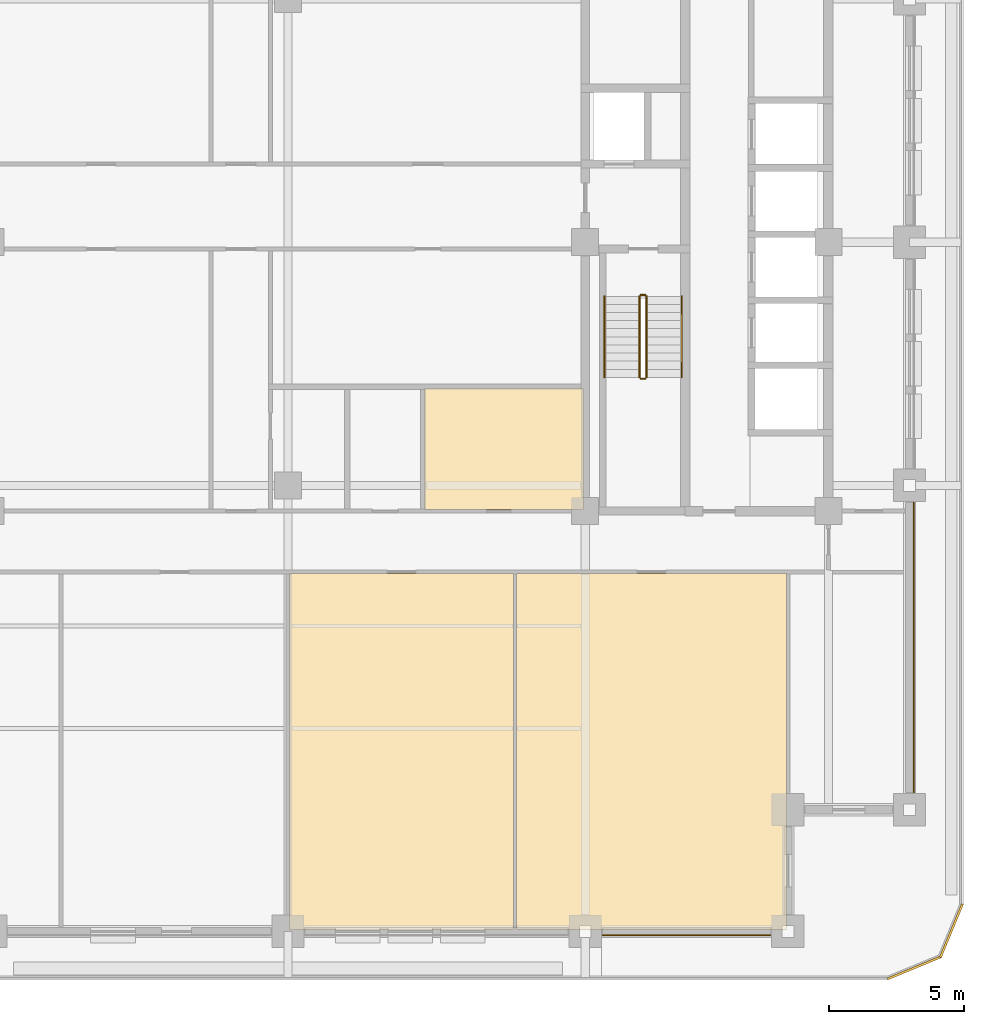
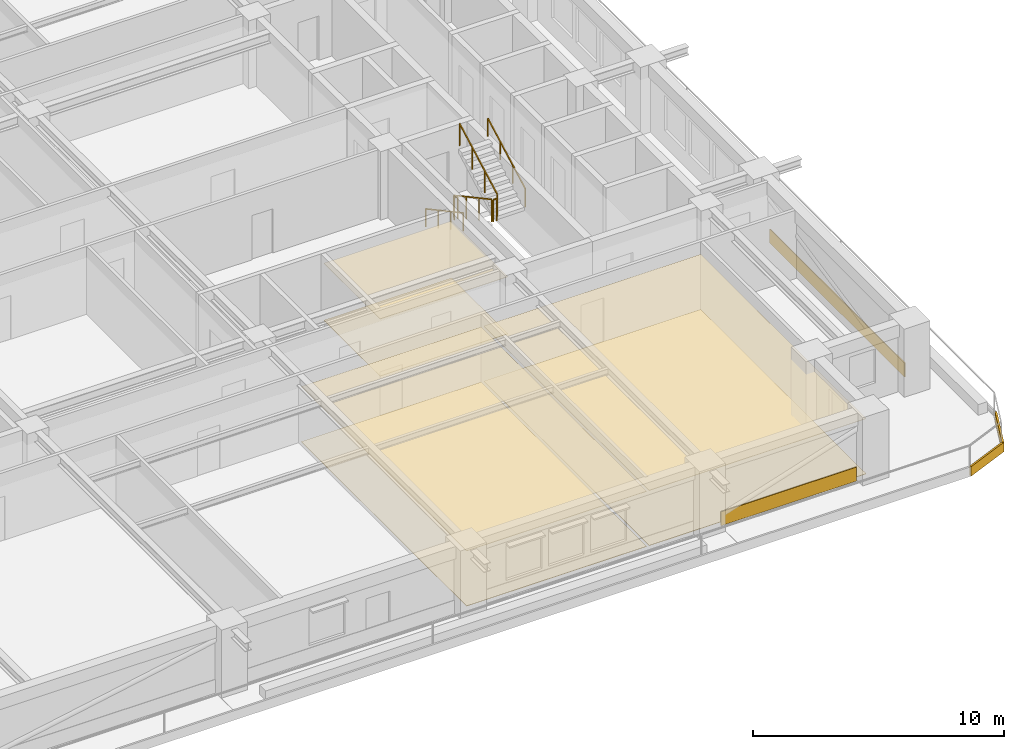
# One storey, part 13 of 14: 10 coverings, 6 railings.
"""IFC4 building model written with IfcOpenShell, lengths in metres."""

import ifcopenshell
import ifcopenshell.guid

model = None  # the IFC model being written
_history = None  # IfcOwnerHistory: only IFC2X3 demands one
_inside = {}  # id of a spatial element -> (the spatial element, [elements in it])
_under = {}  # id of a project, library or spatial element -> (it, [spatial elements below it])
_declared = {}  # id of a project -> (the project, [libraries it declares])
_typed = {}  # id of a type object -> (the type object, [elements of that type])
_made_of = {}  # id of a material, layer set ... -> (it, [elements and type objects made of it])


def new_model(schema):
    """Start an empty IFC model of exactly this schema.

    Asked for "IFC4X3", IfcOpenShell would pick the latest addendum, in which some entities
    have other attributes; the version numbers below select the first issue.
    IFC2X3 requires an IfcOwnerHistory on every rooted entity: one is made here for all.
    """
    global model, _history
    if schema == "IFC4X3":
        model = ifcopenshell.file(schema_version=(4, 3, 0, 0))
    else:
        model = ifcopenshell.file(schema=schema)
    _inside.clear()
    _under.clear()
    _declared.clear()
    _typed.clear()
    _made_of.clear()
    _history = None
    if model.schema == "IFC2X3":
        org = make("IfcOrganization", Name="unknown")
        user = make(
            "IfcPersonAndOrganization",
            ThePerson=make("IfcPerson", FamilyName="unknown"),
            TheOrganization=org,
        )
        app = make(
            "IfcApplication",
            ApplicationDeveloper=org,
            Version="unknown",
            ApplicationFullName="unknown",
            ApplicationIdentifier="unknown",
        )
        _history = make(
            "IfcOwnerHistory",
            OwningUser=user,
            OwningApplication=app,
            ChangeAction="ADDED",
            CreationDate=0,
        )
    return model


def make(cls, **values):
    """One entity of the class cls with the attributes given. An attribute that is None is left unset."""
    return model.create_entity(
        cls, **{name: value for name, value in values.items() if value is not None}
    )


def rooted(cls, **values):
    """An entity with a GlobalId (a new one), such as an element, a storey or a relation."""
    return make(cls, GlobalId=ifcopenshell.guid.new(), OwnerHistory=_history, **values)


def si_unit(unit_type, name, prefix=None):
    """IfcSIUnit, for example si_unit("LENGTHUNIT", "METRE", prefix="MILLI")."""
    return make("IfcSIUnit", UnitType=unit_type, Prefix=prefix, Name=name)


def assignment(units):
    """IfcUnitAssignment: the units of a project."""
    return None if units is None else make("IfcUnitAssignment", Units=units)


def point(xyz):
    """IfcCartesianPoint."""
    return None if xyz is None else make("IfcCartesianPoint", Coordinates=xyz)


def direction(xyz):
    """IfcDirection."""
    return None if xyz is None else make("IfcDirection", DirectionRatios=xyz)


def frame(location, z_axis=None, x_axis=None):
    """IfcAxis2Placement3D, a coordinate frame: its origin and axes. An axis left out is left unset."""
    return make(
        "IfcAxis2Placement3D",
        Location=point(location),
        Axis=direction(z_axis),
        RefDirection=direction(x_axis),
    )


def frame_2d(location, x_axis=None):
    """IfcAxis2Placement2D, a coordinate frame in the plane: its origin and x axis."""
    return make(
        "IfcAxis2Placement2D", Location=point(location), RefDirection=direction(x_axis)
    )


def origin():
    """The frame at (0, 0, 0) with its axes left unset."""
    return frame((0.0, 0.0, 0.0))


def origin_2d():
    """The frame at (0, 0) in the plane with its x axis left unset."""
    return frame_2d((0.0, 0.0))


def place(relative_to, where):
    """IfcLocalPlacement: puts the frame where relative to a parent placement (None: the world)."""
    return make(
        "IfcLocalPlacement", PlacementRelTo=relative_to, RelativePlacement=where
    )


def context(
    kind, dimensions, precision=None, world=None, true_north=None, identifier=None
):
    """IfcGeometricRepresentationContext, for example the 3D "Model" context."""
    return make(
        "IfcGeometricRepresentationContext",
        ContextIdentifier=identifier,
        ContextType=kind,
        CoordinateSpaceDimension=dimensions,
        Precision=precision,
        WorldCoordinateSystem=world,
        TrueNorth=true_north,
    )


def subcontext(parent, identifier, kind, view, scale=None):
    """IfcGeometricRepresentationSubContext, for example "Body" below "Model"."""
    return make(
        "IfcGeometricRepresentationSubContext",
        ContextIdentifier=identifier,
        ContextType=kind,
        ParentContext=parent,
        TargetScale=scale,
        TargetView=view,
    )


def project(units=None, contexts=None):
    """IfcProject with its units and contexts."""
    return rooted(
        "IfcProject",
        Name="project",
        RepresentationContexts=contexts,
        UnitsInContext=assignment(units),
    )


def spatial(cls, under=None, at=None, **own):
    """A site, building, storey or space (cls), placed at a placement, below another one or the project."""
    s = rooted(cls, ObjectPlacement=at, **own)
    if under is not None:
        _under.setdefault(under.id(), (under, []))[1].append(s)
    return s


def polyline(points):
    """IfcPolyline through the points."""
    return make("IfcPolyline", Points=[point(p) for p in points])


def profile(cls, at=None, kind="AREA", **sizes):
    """A parametric profile (cls). Its sizes go by their IFC names, for example OverallWidth=200.0."""
    return make(cls, ProfileType=kind, Position=at, **sizes)


def rectangle(**sizes):
    """IfcRectangleProfileDef."""
    return profile("IfcRectangleProfileDef", **sizes)


def outline(outer, holes=None, kind="AREA"):
    """IfcArbitraryClosedProfileDef: a profile drawn as a closed curve; with holes, ...WithVoids."""
    if holes is None:
        return make("IfcArbitraryClosedProfileDef", ProfileType=kind, OuterCurve=outer)
    return make(
        "IfcArbitraryProfileDefWithVoids",
        ProfileType=kind,
        OuterCurve=outer,
        InnerCurves=holes,
    )


def extrude(swept, where, along, depth):
    """IfcExtrudedAreaSolid: the profile swept, set in the frame where, extruded along a direction by depth."""
    return make(
        "IfcExtrudedAreaSolid",
        SweptArea=swept,
        Position=where,
        ExtrudedDirection=direction(along),
        Depth=depth,
    )


def shape(context_of_items, identifier, shape_type, items):
    """IfcShapeRepresentation: the items that make up one representation, for example the "Body"."""
    return make(
        "IfcShapeRepresentation",
        ContextOfItems=context_of_items,
        RepresentationIdentifier=identifier,
        RepresentationType=shape_type,
        Items=items,
    )


def material(Name=None, Category=None):
    """IfcMaterial."""
    return make("IfcMaterial", Name=Name, Category=Category)


def layer(
    of_material, thickness, ventilated=None, Name=None, Category=None, Priority=None
):
    """IfcMaterialLayer: one layer of a wall or slab, of a material (None: an air gap)."""
    return make(
        "IfcMaterialLayer",
        Material=of_material,
        LayerThickness=thickness,
        IsVentilated=ventilated,
        Name=Name,
        Category=Category,
        Priority=Priority,
    )


def layer_set(layers, Name=None):
    """IfcMaterialLayerSet."""
    return make("IfcMaterialLayerSet", MaterialLayers=layers, LayerSetName=Name)


def made_of(thing, what):
    """Note that an element or type object is made of a material, layer set ...; save() writes the relation."""
    if what is not None:
        _made_of.setdefault(what.id(), (what, []))[1].append(thing)
    return thing


def type_object(cls, material=None, **own):
    """A type object (cls), such as IfcWallType, which elements share."""
    return made_of(rooted(cls, **own), material)


def element(
    cls,
    number,
    at=None,
    inside=None,
    cuts=None,
    type_object=None,
    material=None,
    context=None,
    identifier="Body",
    shape_type=None,
    held_by="IfcProductDefinitionShape",
    body=None,
    shapes=None,
    **own,
):
    """One element of the class cls, such as IfcWall. Its Tag is "e" and its number.

    at: its placement. inside: the storey or other place that contains it. cuts: it is an
    opening in that element (IfcRelVoidsElement). A single representation is given by context,
    identifier, shape_type and body (its items); several are given by shapes. held_by: the class
    of the entity that holds the representations. save() writes the other relations.
    """
    e = rooted(cls, Tag="e%d" % number, ObjectPlacement=at, **own)
    if body is not None:
        shapes = [shape(context, identifier, shape_type, body)]
    if shapes is not None:
        e.Representation = make(held_by, Representations=shapes)
    if inside is not None:
        _inside.setdefault(inside.id(), (inside, []))[1].append(e)
    if cuts is not None:
        rooted(
            "IfcRelVoidsElement", RelatingBuildingElement=cuts, RelatedOpeningElement=e
        )
    if type_object is not None:
        _typed.setdefault(type_object.id(), (type_object, []))[1].append(e)
    return made_of(e, material)


def aggregate(whole, parts):
    """IfcRelAggregates: a whole, such as a stair, and the parts it consists of."""
    return rooted("IfcRelAggregates", RelatingObject=whole, RelatedObjects=parts)


def save(model, path):
    """Write the relations noted so far, then the file.

    IfcRelAggregates (storeys below a building ...), IfcRelContainedInSpatialStructure (elements
    in a storey), IfcRelDefinesByType, IfcRelAssociatesMaterial and IfcRelDeclares: one each for
    every whole, place, type object, material and project.
    """
    for whole, parts in _under.values():
        aggregate(whole, parts)
    for where, things in _inside.values():
        rooted(
            "IfcRelContainedInSpatialStructure",
            RelatedElements=things,
            RelatingStructure=where,
        )
    for kind, things in _typed.values():
        rooted("IfcRelDefinesByType", RelatedObjects=things, RelatingType=kind)
    for what, things in _made_of.values():
        rooted("IfcRelAssociatesMaterial", RelatedObjects=things, RelatingMaterial=what)
    for by, libraries in _declared.values():
        rooted("IfcRelDeclares", RelatingContext=by, RelatedDefinitions=libraries)
    model.write(path)


model = new_model("IFC4")

# Units and contexts
model_context = context("Model", 3, precision=1e-05, world=origin(), true_north=direction((0.0, 1.0)))
body_context = subcontext(model_context, "Body", "Model", "MODEL_VIEW")
ifc_project = project(units=[si_unit("LENGTHUNIT", "METRE"), si_unit("AREAUNIT", "SQUARE_METRE"), si_unit("VOLUMEUNIT", "CUBIC_METRE"), si_unit("PLANEANGLEUNIT", "RADIAN"), si_unit("MASSUNIT", "GRAM", prefix="KILO")], contexts=[model_context])

# Site, building, storey
site_placement = place(None, origin())
site = spatial("IfcSite", under=ifc_project, at=site_placement, CompositionType="ELEMENT")
building_placement = place(site_placement, origin())
building = spatial("IfcBuilding", under=site, at=building_placement, Name="Zulmaris Gate Convention Tower", CompositionType="ELEMENT")
storey_placement = place(building_placement, frame((0.0, 0.0, 135.6298828125)))
storey = spatial("IfcBuildingStorey", under=building, at=storey_placement, Name="L34", CompositionType="ELEMENT", Elevation=135.6298828125)

# Coverings
ifc_material_1 = material(Name="Precast concrete C40/50", Category="concrete")
ifc_layer_1 = layer(ifc_material_1, 0.0400390625, Name="Precast concrete C40/50")
ifc_layer_set_1 = layer_set([ifc_layer_1], Name="Precast concrete C40/50")
covering_type_1 = type_object("IfcCoveringType", Name="CLAD-SPANDREL-PRECAST", PredefinedType="CLADDING", material=ifc_layer_set_1)
covering_1_placement = place(storey_placement, frame((11.6298828125, -25.64990234375, 0.0), z_axis=(0.0, 0.0, 1.0), x_axis=(1.0, 0.0, 0.0)))
element("IfcCovering", 1, at=covering_1_placement, inside=storey, type_object=covering_type_1, Name="CLD-L34-S-3_0", PredefinedType="CLADDING", context=body_context, shape_type="SweptSolid", body=[
    extrude(rectangle(XDim=6.240234375, YDim=0.0400390625, at=frame_2d((3.1201171875, 0.0))), origin(), (0.0, 0.0, 1.0), 0.679931640625),
])
covering_2_placement = place(storey_placement, frame((23.14990234375, -20.3701171875, 0.0), z_axis=(0.0, 0.0, 1.0), x_axis=(0.0, 1.0, 0.0)))
element("IfcCovering", 2, at=covering_2_placement, inside=storey, type_object=covering_type_1, Name="CLD-L34-E-0_0", PredefinedType="CLADDING", context=body_context, shape_type="SweptSolid", body=[
    extrude(rectangle(XDim=10.740234375, YDim=0.0400390625, at=frame_2d((5.3701171875, 0.0))), origin(), (0.0, 0.0, 1.0), 0.679931640625),
])
ifc_material_2 = material(Name="White Glazed Architectural Precast Concrete C40/50", Category="concrete")
ifc_layer_2 = layer(ifc_material_2, 0.080078125, Name="White Glazed Architectural Precast Concrete C40/50")
ifc_layer_set_2 = layer_set([ifc_layer_2], Name="White Glazed Architectural Precast Concrete C40/50")
covering_type_2 = type_object("IfcCoveringType", Name="CLAD-TRAY-FASCIA", PredefinedType="CLADDING", material=ifc_layer_set_2)
covering_3_placement = place(storey_placement, frame((22.184814453125, -27.262939453125, -0.2900390625), z_axis=(0.0, 0.0, 1.0), x_axis=(0.923873803533, 0.382697263049, 0.0)))
element("IfcCovering", 3, at=covering_3_placement, inside=storey, type_object=covering_type_2, Name="FSC-L34-TR-03", PredefinedType="CLADDING", context=body_context, shape_type="SweptSolid", body=[
    extrude(rectangle(XDim=2.142822265625, YDim=0.080078125, at=frame_2d((1.0712890625, 0.0))), origin(), (0.0, 0.0, 1.0), 0.4599609375),
])
covering_4_placement = place(storey_placement, frame((24.142822265625, -26.464599609375, -0.2900390625), z_axis=(0.0, 0.0, 1.0), x_axis=(0.382656984709, 0.923890487046, 0.0)))
element("IfcCovering", 4, at=covering_4_placement, inside=storey, type_object=covering_type_2, Name="FSC-L34-TR-04", PredefinedType="CLADDING", context=body_context, shape_type="SweptSolid", body=[
    extrude(rectangle(XDim=2.14306640625, YDim=0.080078125, at=frame_2d((1.071533203125, 0.0))), origin(), (0.0, 0.0, 1.0), 0.4599609375),
])
ifc_material_3 = material(Name="Mineral Fibre Acoustic Ceiling Tile")
ifc_layer_3 = layer(ifc_material_3, 0.02001953125, Name="Mineral Fibre Acoustic Ceiling Tile")
ifc_layer_set_3 = layer_set([ifc_layer_3], Name="Mineral Fibre Acoustic Ceiling Tile")
covering_type_3 = type_object("IfcCoveringType", Name="CLG-ACOUSTIC-600", PredefinedType="CEILING", material=ifc_layer_set_3)
covering_5_placement = place(storey_placement, frame((0.0, 0.0, 2.68017578125)))
element("IfcCovering", 5, at=covering_5_placement, inside=storey, type_object=covering_type_3, Name="CLG-L34-R35", PredefinedType="CEILING", context=body_context, shape_type="SweptSolid", body=[
    extrude(outline(polyline([(0.06005859375, -25.43994140625), (8.340087890625, -25.43994140625), (8.340087890625, -12.260009765625), (0.06005859375, -12.260009765625), (0.06005859375, -25.43994140625)])), origin(), (0.0, 0.0, 1.0), 0.02001953125),
])
covering_6_placement = place(storey_placement, frame((0.0, 0.0, 2.68017578125)))
element("IfcCovering", 6, at=covering_6_placement, inside=storey, type_object=covering_type_3, Name="CLG-L34-R36", PredefinedType="CEILING", context=body_context, shape_type="SweptSolid", body=[
    extrude(outline(polyline([(8.4599609375, -25.43994140625), (18.43994140625, -25.43994140625), (18.43994140625, -12.260009765625), (8.4599609375, -12.260009765625), (8.4599609375, -25.43994140625)])), origin(), (0.0, 0.0, 1.0), 0.02001953125),
])
covering_7_placement = place(storey_placement, frame((0.0, 0.0, 2.778076171875)))
element("IfcCovering", 7, at=covering_7_placement, inside=storey, type_object=covering_type_3, Name="CLG-L34-R43", PredefinedType="CEILING", context=body_context, shape_type="SweptSolid", body=[
    extrude(outline(polyline([(5.06005859375, -9.889892578125), (10.93994140625, -9.889892578125), (10.93994140625, -5.409912109375), (5.06005859375, -5.409912109375), (5.06005859375, -9.889892578125)])), origin(), (0.0, 0.0, 1.0), 0.02001953125),
])
ifc_material_4 = material(Name="Woven Acoustic Wool Carpet Tile")
ifc_layer_4 = layer(ifc_material_4, 0.02001953125, Name="Woven Acoustic Wool Carpet Tile")
ifc_layer_set_4 = layer_set([ifc_layer_4], Name="Woven Acoustic Wool Carpet Tile")
covering_type_4 = type_object("IfcCoveringType", Name="FLR-CARPET-12", PredefinedType="FLOORING", material=ifc_layer_set_4)
covering_8_placement = place(storey_placement, origin())
element("IfcCovering", 8, at=covering_8_placement, inside=storey, type_object=covering_type_4, Name="FLR-L34-R35", PredefinedType="FLOORING", context=body_context, shape_type="SweptSolid", body=[
    extrude(outline(polyline([(0.06005859375, -25.43994140625), (8.340087890625, -25.43994140625), (8.340087890625, -12.260009765625), (0.06005859375, -12.260009765625), (0.06005859375, -25.43994140625)])), origin(), (0.0, 0.0, 1.0), 0.02001953125),
])
covering_9_placement = place(storey_placement, origin())
element("IfcCovering", 9, at=covering_9_placement, inside=storey, type_object=covering_type_4, Name="FLR-L34-R36", PredefinedType="FLOORING", context=body_context, shape_type="SweptSolid", body=[
    extrude(outline(polyline([(8.4599609375, -25.43994140625), (18.43994140625, -25.43994140625), (18.43994140625, -12.260009765625), (8.4599609375, -12.260009765625), (8.4599609375, -25.43994140625)])), origin(), (0.0, 0.0, 1.0), 0.02001953125),
])
covering_10_placement = place(storey_placement, origin())
element("IfcCovering", 10, at=covering_10_placement, inside=storey, type_object=covering_type_4, Name="FLR-L34-R43", PredefinedType="FLOORING", context=body_context, shape_type="SweptSolid", body=[
    extrude(outline(polyline([(5.06005859375, -9.889892578125), (10.93994140625, -9.889892578125), (10.93994140625, -5.409912109375), (5.06005859375, -5.409912109375), (5.06005859375, -9.889892578125)])), origin(), (0.0, 0.0, 1.0), 0.02001953125),
])

# Railings
ifc_material_5 = material(Name="Painted Galvanised Steel", Category="steel")
railing_type_1 = type_object("IfcRailingType", Name="RL-STG-1150", PredefinedType="GUARDRAIL", material=ifc_material_5)
railing_1_placement = place(storey_placement, frame((13.010009765625, -2.0, 0.162353515625)))
element("IfcRailing", 11, at=railing_1_placement, inside=storey, type_object=railing_type_1, Name="L34 ST-2 stair guard 1", PredefinedType="GUARDRAIL", context=body_context, shape_type="SweptSolid", body=[
    extrude(rectangle(XDim=0.048095703125, YDim=0.048095703125, at=origin_2d()), frame((0.0, 0.0, 1.076171875), z_axis=(0.0, -0.8795616155, 0.475784998228), x_axis=(1.0, 0.0, 0.0)), (0.0, 0.0, 1.0), 3.410888671875),
    extrude(rectangle(XDim=0.0419921875, YDim=0.0419921875, at=origin_2d()), origin(), (0.0, 0.0, 1.0), 1.052001953125),
    extrude(rectangle(XDim=0.0419921875, YDim=0.0419921875, at=origin_2d()), frame((0.0, -1.0, 0.541015625)), (0.0, 0.0, 1.0), 1.052001953125),
    extrude(rectangle(XDim=0.0419921875, YDim=0.0419921875, at=origin_2d()), frame((0.0, -2.0, 1.081787109375)), (0.0, 0.0, 1.0), 1.052001953125),
    extrude(rectangle(XDim=0.0419921875, YDim=0.0419921875, at=origin_2d()), frame((0.0, -3.0, 1.622802734375)), (0.0, 0.0, 1.0), 1.052001953125),
])
railing_2_placement = place(storey_placement, frame((13.06005859375, -5.050048828125, 1.78515625)))
element("IfcRailing", 12, at=railing_2_placement, inside=storey, type_object=railing_type_1, Name="L34 ST-2 stair guard 2", PredefinedType="GUARDRAIL", context=body_context, shape_type="SweptSolid", body=[
    extrude(rectangle(XDim=0.048095703125, YDim=0.048095703125, at=origin_2d()), frame((0.0, 0.0, 1.076171875), z_axis=(1.0, 0.0, 0.0), x_axis=(0.0, 1.0, 0.0)), (0.0, 0.0, 1.0), 0.159912109375),
    extrude(rectangle(XDim=0.0419921875, YDim=0.0419921875, at=origin_2d()), origin(), (0.0, 0.0, 1.0), 1.052001953125),
    extrude(rectangle(XDim=0.0419921875, YDim=0.0419921875, at=origin_2d()), frame((0.159912109375, 0.0, 0.0)), (0.0, 0.0, 1.0), 1.052001953125),
])
railing_3_placement = place(storey_placement, frame((13.27001953125, -5.0, 1.947265625)))
element("IfcRailing", 13, at=railing_3_placement, inside=storey, type_object=railing_type_1, Name="L34 ST-2 stair guard 3", PredefinedType="GUARDRAIL", context=body_context, shape_type="SweptSolid", body=[
    extrude(rectangle(XDim=0.048095703125, YDim=0.048095703125, at=origin_2d()), frame((0.0, 0.0, 1.076171875), z_axis=(0.0, 0.8795616155, 0.475784998228), x_axis=(-1.0, 0.0, 0.0)), (0.0, 0.0, 1.0), 3.410888671875),
    extrude(rectangle(XDim=0.0419921875, YDim=0.0419921875, at=origin_2d()), origin(), (0.0, 0.0, 1.0), 1.052001953125),
    extrude(rectangle(XDim=0.0419921875, YDim=0.0419921875, at=origin_2d()), frame((0.0, 1.0, 0.541015625)), (0.0, 0.0, 1.0), 1.052001953125),
    extrude(rectangle(XDim=0.0419921875, YDim=0.0419921875, at=origin_2d()), frame((0.0, 2.0, 1.081787109375)), (0.0, 0.0, 1.0), 1.052001953125),
    extrude(rectangle(XDim=0.0419921875, YDim=0.0419921875, at=origin_2d()), frame((0.0, 3.0, 1.622802734375)), (0.0, 0.0, 1.0), 1.052001953125),
])
railing_4_placement = place(storey_placement, frame((13.06005859375, -1.949951171875, 0.0)))
element("IfcRailing", 14, at=railing_4_placement, inside=storey, type_object=railing_type_1, Name="L34 ST-2 stair guard 4", PredefinedType="GUARDRAIL", context=body_context, shape_type="SweptSolid", body=[
    extrude(rectangle(XDim=0.048095703125, YDim=0.048095703125, at=origin_2d()), frame((0.0, 0.0, 1.076171875), z_axis=(1.0, 0.0, 0.0), x_axis=(0.0, 1.0, 0.0)), (0.0, 0.0, 1.0), 0.159912109375),
    extrude(rectangle(XDim=0.0419921875, YDim=0.0419921875, at=origin_2d()), origin(), (0.0, 0.0, 1.0), 1.052001953125),
    extrude(rectangle(XDim=0.0419921875, YDim=0.0419921875, at=origin_2d()), frame((0.159912109375, 0.0, 0.0)), (0.0, 0.0, 1.0), 1.052001953125),
])
ifc_material_6 = material(Name="Brushed Stainless Steel", Category="steel")
railing_type_2 = type_object("IfcRailingType", Name="RL-STH-900", PredefinedType="HANDRAIL", material=ifc_material_6)
railing_5_placement = place(storey_placement, frame((11.7099609375, -2.0, 0.162353515625)))
element("IfcRailing", 15, at=railing_5_placement, inside=storey, type_object=railing_type_2, Name="L34 ST-2 stair handrail 1", PredefinedType="HANDRAIL", context=body_context, shape_type="SweptSolid", body=[
    extrude(rectangle(XDim=0.048095703125, YDim=0.048095703125, at=origin_2d()), frame((0.0, 0.0, 0.8759765625), z_axis=(0.0, -0.8795616155, 0.475784998228), x_axis=(1.0, 0.0, 0.0)), (0.0, 0.0, 1.0), 3.410888671875),
    extrude(rectangle(XDim=0.0419921875, YDim=0.0419921875, at=origin_2d()), origin(), (0.0, 0.0, 1.0), 0.851806640625),
    extrude(rectangle(XDim=0.0419921875, YDim=0.0419921875, at=origin_2d()), frame((0.0, -1.0, 0.541015625)), (0.0, 0.0, 1.0), 0.851806640625),
    extrude(rectangle(XDim=0.0419921875, YDim=0.0419921875, at=origin_2d()), frame((0.0, -2.0, 1.081787109375)), (0.0, 0.0, 1.0), 0.851806640625),
    extrude(rectangle(XDim=0.0419921875, YDim=0.0419921875, at=origin_2d()), frame((0.0, -3.0, 1.622802734375)), (0.0, 0.0, 1.0), 0.851806640625),
])
railing_6_placement = place(storey_placement, frame((14.570068359375, -5.0, 1.947265625)))
element("IfcRailing", 16, at=railing_6_placement, inside=storey, type_object=railing_type_2, Name="L34 ST-2 stair handrail 2", PredefinedType="HANDRAIL", context=body_context, shape_type="SweptSolid", body=[
    extrude(rectangle(XDim=0.048095703125, YDim=0.048095703125, at=origin_2d()), frame((0.0, 0.0, 0.8759765625), z_axis=(0.0, 0.8795616155, 0.475784998228), x_axis=(-1.0, 0.0, 0.0)), (0.0, 0.0, 1.0), 3.410888671875),
    extrude(rectangle(XDim=0.0419921875, YDim=0.0419921875, at=origin_2d()), origin(), (0.0, 0.0, 1.0), 0.851806640625),
    extrude(rectangle(XDim=0.0419921875, YDim=0.0419921875, at=origin_2d()), frame((0.0, 1.0, 0.541015625)), (0.0, 0.0, 1.0), 0.851806640625),
    extrude(rectangle(XDim=0.0419921875, YDim=0.0419921875, at=origin_2d()), frame((0.0, 2.0, 1.081787109375)), (0.0, 0.0, 1.0), 0.851806640625),
    extrude(rectangle(XDim=0.0419921875, YDim=0.0419921875, at=origin_2d()), frame((0.0, 3.0, 1.622802734375)), (0.0, 0.0, 1.0), 0.851806640625),
])

save(model, "model.ifc")
